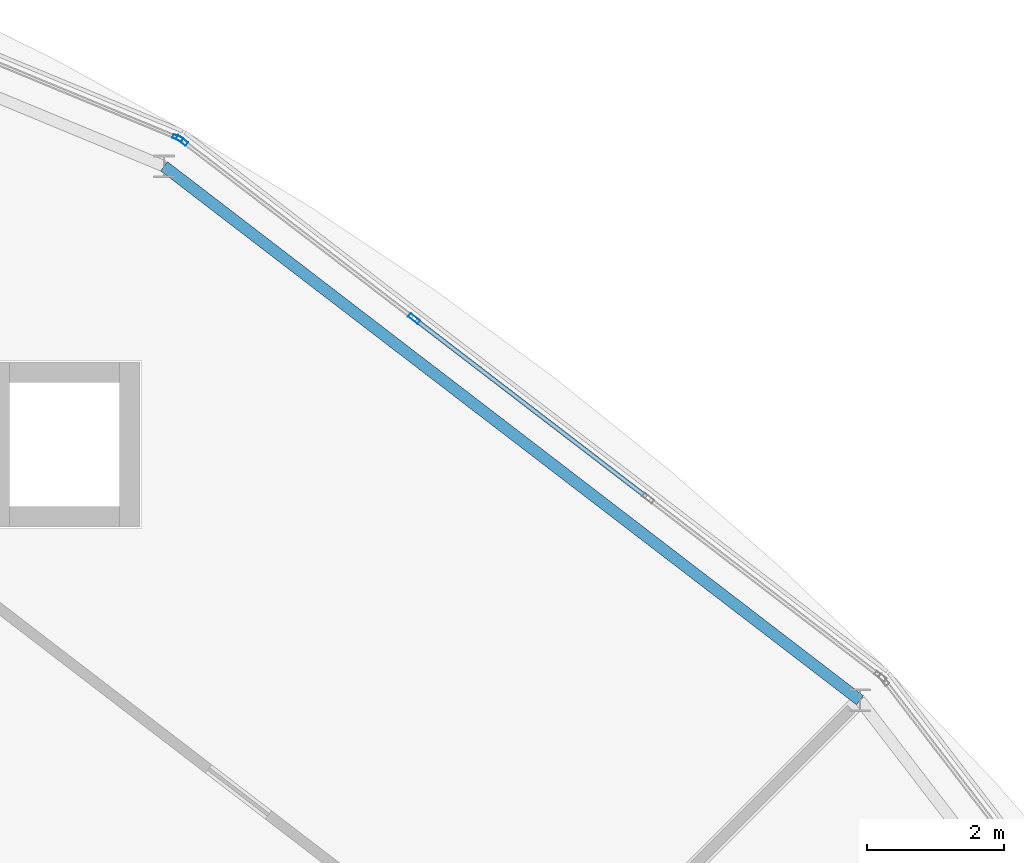
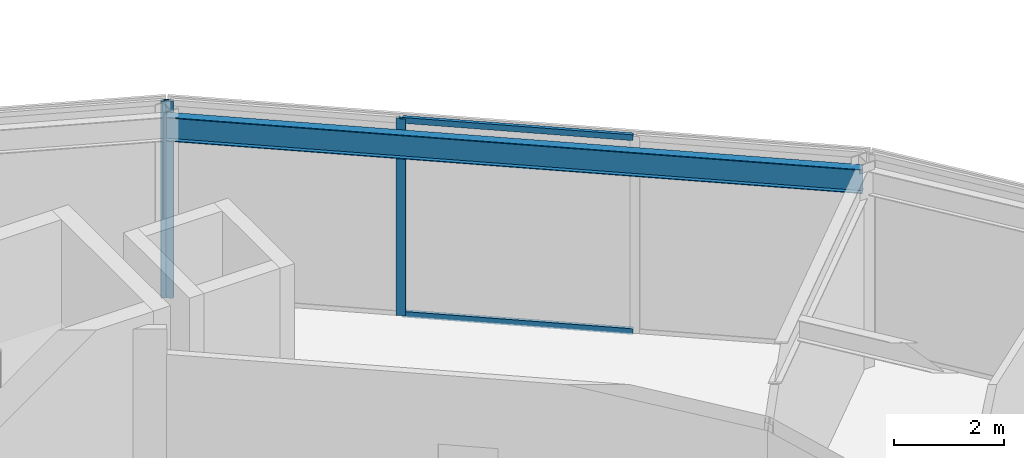
# One storey, part 74 of 133: 5 members, 1 beam, 2 elements without a shape of their own.
"""IFC4 building model written with IfcOpenShell, lengths in metres."""

from ifc_helpers import new_model, si_unit, direction, frame, origin, origin_2d, place, context, subcontext, project, spatial, hollow_rectangle, i_section, extrude, material, material_profile, profile_set, type_object, element, aggregate, save


model = new_model("IFC4")

# Units and contexts
model_context = context("Model", 3, precision=1e-05, world=origin(), true_north=direction((0.0, 1.0)))
body_context = subcontext(model_context, "Body", "Model", "MODEL_VIEW")
ifc_project = project(units=[si_unit("LENGTHUNIT", "METRE"), si_unit("AREAUNIT", "SQUARE_METRE"), si_unit("VOLUMEUNIT", "CUBIC_METRE"), si_unit("PLANEANGLEUNIT", "RADIAN"), si_unit("MASSUNIT", "GRAM", prefix="KILO")], contexts=[model_context])

# Site, building, storey
site_placement = place(None, origin())
site = spatial("IfcSite", under=ifc_project, at=site_placement, CompositionType="ELEMENT")
building_placement = place(site_placement, origin())
building = spatial("IfcBuilding", under=site, at=building_placement, Name="Almandine Court Research Institute", CompositionType="ELEMENT")
storey_placement = place(building_placement, frame((0.0, 0.0, 9.800048828125)))
storey = spatial("IfcBuildingStorey", under=building, at=storey_placement, Name="L02", CompositionType="ELEMENT", Elevation=9.800048828125)

# Beam
ifc_material_1 = material(Name="Steel ASTM A992 Grade 50", Category="steel")
ifc_material_profile_1 = material_profile(ifc_material_1, i_section(OverallWidth=0.166015625, OverallDepth=0.534912109375, WebThickness=0.010009765625, FlangeThickness=0.01708984375, at=origin_2d()), Name="W530x85")
ifc_profile_set_1 = profile_set([ifc_material_profile_1], Name="Steel ASTM A992 Grade 50")
beam_type = type_object("IfcBeamType", Name="Beam-G-05-E", PredefinedType="SPANDREL", material=ifc_profile_set_1)
beam_placement = place(storey_placement, frame((121.577880859375, 90.577880859375, 4.10205078125), z_axis=(-0.793360662587, 0.608751886289, 0.0), x_axis=(-0.608751886289, -0.793360662587, 0.0)))
element("IfcBeam", 1, at=beam_placement, inside=storey, type_object=beam_type, Name="L02 Drum OUT Ring Beam 03", PredefinedType="SPANDREL", context=body_context, shape_type="SweptSolid", body=[
    extrude(i_section(OverallWidth=0.166015625, OverallDepth=0.534912109375, WebThickness=0.010009765625, FlangeThickness=0.01708984375, at=origin_2d()), origin(), (0.0, 0.0, 1.0), 12.765869140625),
])

# Curtain wall, member
ifc_material_2 = material(Name="Unitised Curtain Wall Framing and Solar Glazing", Category="glass")
curtain_wall_type_1 = type_object("IfcCurtainWallType", Name="CW-CWG-20", PredefinedType="USERDEFINED", material=ifc_material_2)
curtain_wall_1_placement = place(storey_placement, origin())
curtain_wall_1 = element("IfcCurtainWall", 2, at=curtain_wall_1_placement, inside=storey, type_object=curtain_wall_type_1, Name="L02 Stacked-Ring Drum Outer Unitised Glazing 04", ObjectType="UNITISED GLAZING", PredefinedType="USERDEFINED")
ifc_material_3 = material(Name="Anodised Aluminium AW-6063-T6", Category="aluminium")
ifc_material_profile_2 = material_profile(ifc_material_3, hollow_rectangle(XDim=0.06005859375, YDim=0.14990234375, WallThickness=0.00390625, at=origin_2d()), Name="ALU RHS 60x150x4")
ifc_profile_set_2 = profile_set([ifc_material_profile_2], Name="Anodised Aluminium AW-6063-T6")
member_type_1 = type_object("IfcMemberType", Name="CWMul-60x150", PredefinedType="MULLION", material=ifc_profile_set_2)
member_1_placement = place(storey_placement, frame((111.649169921875, 98.760498046875, 0.0), z_axis=(0.0, 0.0, 1.0), x_axis=(0.382662689242, 0.923888124321, 0.0)))
member_1 = element("IfcMember", 3, at=member_1_placement, type_object=member_type_1, Name="CWG-20 mullion 4", PredefinedType="MULLION", context=body_context, shape_type="SweptSolid", body=[
    extrude(hollow_rectangle(XDim=0.06005859375, YDim=0.14990234375, WallThickness=0.00390625, at=origin_2d()), origin(), (0.0, 0.0, 1.0), 4.369873046875),
])
aggregate(curtain_wall_1, [member_1])

# Curtain wall, members
curtain_wall_type_2 = type_object("IfcCurtainWallType", Name="CW-CWJ-19", PredefinedType="USERDEFINED", material=ifc_material_2)
curtain_wall_2_placement = place(storey_placement, origin())
curtain_wall_2 = element("IfcCurtainWall", 4, at=curtain_wall_2_placement, inside=storey, type_object=curtain_wall_type_2, Name="L02 Stacked-Ring Drum Outer Solar Jali Screen 03", ObjectType="SOLAR JALI SCREEN", PredefinedType="USERDEFINED")
ifc_material_profile_3 = material_profile(ifc_material_3, hollow_rectangle(XDim=0.06494140625, YDim=0.179931640625, WallThickness=0.00390625, at=origin_2d()), Name="ALU RHS 65x180x4")
ifc_profile_set_3 = profile_set([ifc_material_profile_3], Name="Anodised Aluminium AW-6063-T6")
member_type_2 = type_object("IfcMemberType", Name="CWMul-65x180", PredefinedType="MULLION", material=ifc_profile_set_3)
member_2_placement = place(storey_placement, frame((111.708740234375, 98.72509765625, 0.0), z_axis=(0.0, 0.0, 1.0), x_axis=(0.608723313303, 0.793382586046, 0.0)))
member_2 = element("IfcMember", 5, at=member_2_placement, type_object=member_type_2, Name="CWJ-19 mullion 1", PredefinedType="MULLION", context=body_context, shape_type="SweptSolid", body=[
    extrude(hollow_rectangle(XDim=0.06494140625, YDim=0.179931640625, WallThickness=0.00390625, at=origin_2d()), origin(), (0.0, 0.0, 1.0), 4.369873046875),
])
member_3_placement = place(storey_placement, frame((115.088623046875, 96.132080078125, 0.0), z_axis=(0.0, 0.0, 1.0), x_axis=(0.608723313303, 0.793382586046, 0.0)))
member_3 = element("IfcMember", 6, at=member_3_placement, type_object=member_type_2, Name="CWJ-19 mullion 2", PredefinedType="MULLION", context=body_context, shape_type="SweptSolid", body=[
    extrude(hollow_rectangle(XDim=0.06494140625, YDim=0.179931640625, WallThickness=0.00390625, at=origin_2d()), origin(), (0.0, 0.0, 1.0), 4.369873046875),
])
ifc_material_profile_4 = material_profile(ifc_material_3, hollow_rectangle(XDim=0.06494140625, YDim=0.1298828125, WallThickness=0.00390625, at=origin_2d()), Name="ALU RHS 65x130x4")
ifc_profile_set_4 = profile_set([ifc_material_profile_4], Name="Anodised Aluminium AW-6063-T6")
member_type_3 = type_object("IfcMemberType", Name="CWTrn-65x130", PredefinedType="NOTDEFINED", material=ifc_profile_set_4)
member_4_placement = place(storey_placement, frame((115.114501953125, 96.1123046875, 0.032470703125), z_axis=(0.793368349931, -0.608741867566, 0.0), x_axis=(0.608741867566, 0.793368349931, 0.0)))
member_4 = element("IfcMember", 7, at=member_4_placement, type_object=member_type_3, Name="CWJ-19 transom 2.1", ObjectType="TRANSOM", PredefinedType="USERDEFINED", context=body_context, shape_type="SweptSolid", body=[
    extrude(hollow_rectangle(XDim=0.06494140625, YDim=0.1298828125, WallThickness=0.00390625, at=origin_2d()), origin(), (0.0, 0.0, 1.0), 4.2275390625),
])
member_5_placement = place(storey_placement, frame((115.114501953125, 96.1123046875, 4.33740234375), z_axis=(0.793368349931, -0.608741867566, 0.0), x_axis=(0.608741867566, 0.793368349931, 0.0)))
member_5 = element("IfcMember", 8, at=member_5_placement, type_object=member_type_3, Name="CWJ-19 transom 2.2", ObjectType="TRANSOM", PredefinedType="USERDEFINED", context=body_context, shape_type="SweptSolid", body=[
    extrude(hollow_rectangle(XDim=0.06494140625, YDim=0.1298828125, WallThickness=0.00390625, at=origin_2d()), origin(), (0.0, 0.0, 1.0), 4.2275390625),
])
aggregate(curtain_wall_2, [member_2, member_3, member_4, member_5])

save(model, "model.ifc")
